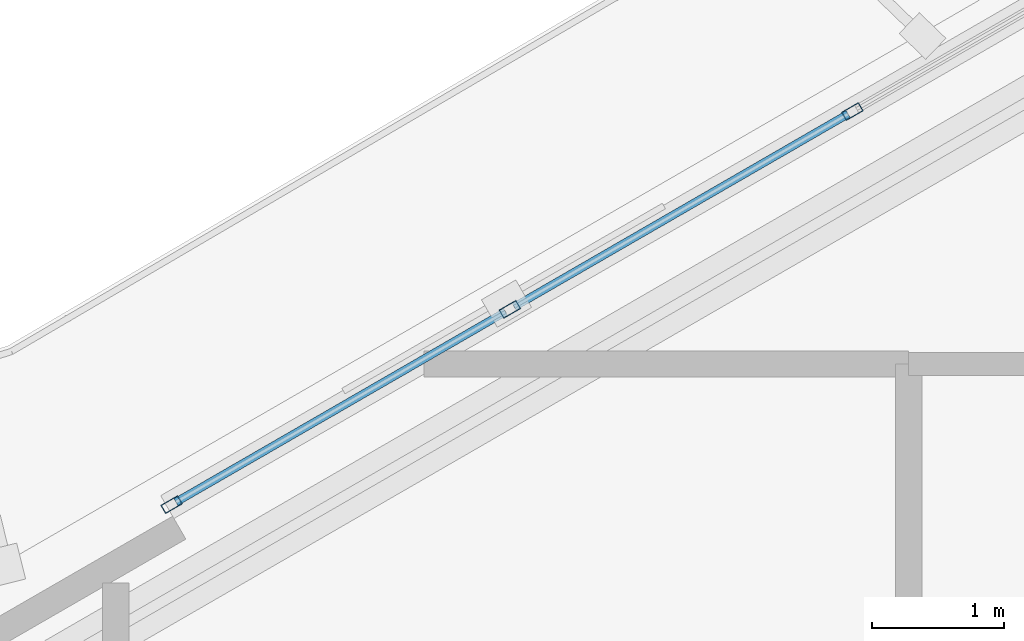
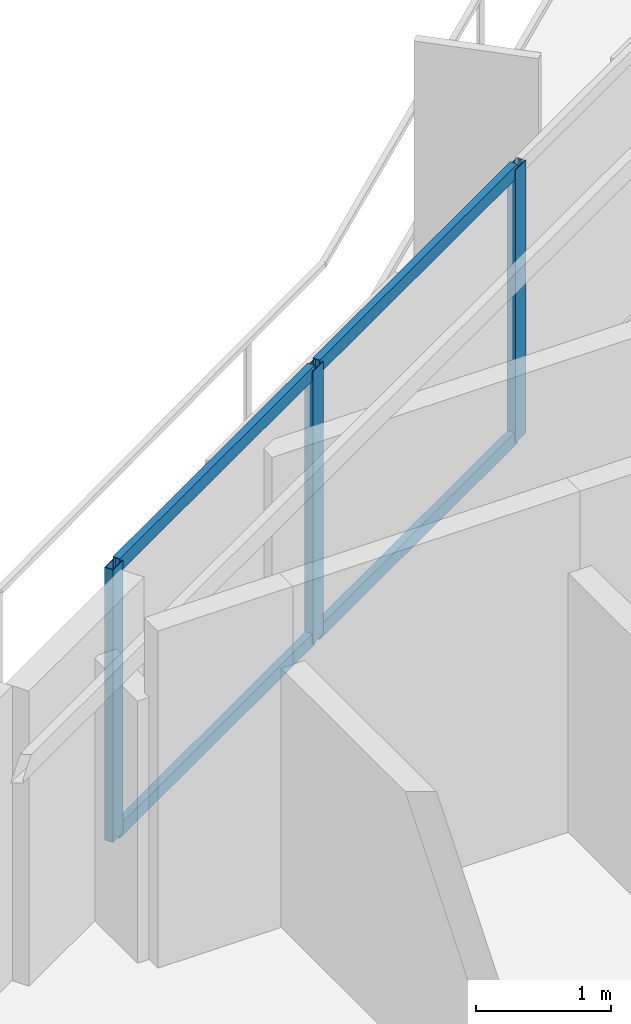
# One storey, part 7 of 19: 7 members, 1 element without a shape of its own.
"""IFC4 building model written with IfcOpenShell, lengths in metres."""

from ifc_helpers import new_model, si_unit, direction, frame, origin, origin_2d, place, context, subcontext, project, spatial, hollow_rectangle, extrude, material, layer, layer_set, material_profile, profile_set, type_object, element, aggregate, save


model = new_model("IFC4")

# Units and contexts
model_context = context("Model", 3, precision=1e-05, world=origin(), true_north=direction((0.0, 1.0)))
body_context = subcontext(model_context, "Body", "Model", "MODEL_VIEW")
ifc_project = project(units=[si_unit("LENGTHUNIT", "METRE"), si_unit("AREAUNIT", "SQUARE_METRE"), si_unit("VOLUMEUNIT", "CUBIC_METRE"), si_unit("PLANEANGLEUNIT", "RADIAN"), si_unit("MASSUNIT", "GRAM", prefix="KILO")], contexts=[model_context])

# Site, building, storey
site_placement = place(None, origin())
site = spatial("IfcSite", under=ifc_project, at=site_placement, CompositionType="ELEMENT")
building_placement = place(site_placement, origin())
building = spatial("IfcBuilding", under=site, at=building_placement, Name="Mersakhor Tower and Convention Hall", CompositionType="ELEMENT")
storey_placement = place(building_placement, frame((0.0, 0.0, 25.800048828125)))
storey = spatial("IfcBuildingStorey", under=building, at=storey_placement, Name="L06", CompositionType="ELEMENT", Elevation=25.800048828125)

# Curtain wall, members
ifc_material_1 = material(Name="Dark solar low-E aluminium curtain wall", Category="aluminium")
ifc_layer = layer(ifc_material_1, 0.159912109375)
ifc_layer_set = layer_set([ifc_layer], Name="Dark solar low-E aluminium curtain wall")
curtain_wall_type = type_object("IfcCurtainWallType", Name="CW-SYS-01", PredefinedType="USERDEFINED", material=ifc_layer_set)
curtain_wall_placement = place(storey_placement, origin())
curtain_wall = element("IfcCurtainWall", 1, at=curtain_wall_placement, inside=storey, type_object=curtain_wall_type, Name="L06 Dark-Glass Curtain Wall F1-B2", ObjectType="CURTAIN WALL", PredefinedType="USERDEFINED")
ifc_material_2 = material(Name="Anodised aluminium EN AW-6063 T6", Category="aluminium")
ifc_material_profile_1 = material_profile(ifc_material_2, hollow_rectangle(XDim=0.074951171875, YDim=0.14990234375, WallThickness=0.00634765625, at=origin_2d()), Name="RHS 150x75x6.3")
ifc_profile_set_1 = profile_set([ifc_material_profile_1], Name="Anodised aluminium EN AW-6063 T6")
member_type_1 = type_object("IfcMemberType", Name="CWM-150x75", PredefinedType="MULLION", material=ifc_profile_set_1)
member_1_placement = place(storey_placement, frame((16.423095703125, 36.635986328125, 0.199951171875), z_axis=(0.0, 0.0, 1.0), x_axis=(-0.50000344889, 0.866023412558, 0.0)))
member_1 = element("IfcMember", 2, at=member_1_placement, type_object=member_type_1, Name="CW-01 mullion 1", PredefinedType="MULLION", context=body_context, shape_type="SweptSolid", body=[
    extrude(hollow_rectangle(XDim=0.074951171875, YDim=0.14990234375, WallThickness=0.00634765625, at=origin_2d()), origin(), (0.0, 0.0, 1.0), 2.4599609375),
])
member_2_placement = place(storey_placement, frame((18.982666015625, 38.11376953125, 0.199951171875), z_axis=(0.0, 0.0, 1.0), x_axis=(-0.50000344889, 0.866023412558, 0.0)))
member_2 = element("IfcMember", 3, at=member_2_placement, type_object=member_type_1, Name="CW-01 mullion 2", PredefinedType="MULLION", context=body_context, shape_type="SweptSolid", body=[
    extrude(hollow_rectangle(XDim=0.074951171875, YDim=0.14990234375, WallThickness=0.00634765625, at=origin_2d()), origin(), (0.0, 0.0, 1.0), 2.4599609375),
])
member_3_placement = place(storey_placement, frame((21.574951171875, 39.610595703125, 0.199951171875), z_axis=(0.0, 0.0, 1.0), x_axis=(-0.50000344889, 0.866023412558, 0.0)))
member_3 = element("IfcMember", 4, at=member_3_placement, type_object=member_type_1, Name="CW-01 mullion 3", PredefinedType="MULLION", context=body_context, shape_type="SweptSolid", body=[
    extrude(hollow_rectangle(XDim=0.074951171875, YDim=0.14990234375, WallThickness=0.00634765625, at=origin_2d()), origin(), (0.0, 0.0, 1.0), 2.4599609375),
])
ifc_material_3 = material(Name="Anodised aluminium EN AW-6063 T6", Category="aluminium")
ifc_material_profile_2 = material_profile(ifc_material_3, hollow_rectangle(XDim=0.06005859375, YDim=0.1201171875, WallThickness=0.0048828125, at=origin_2d()), Name="RHS 120x60x5")
ifc_profile_set_2 = profile_set([ifc_material_profile_2], Name="Anodised aluminium EN AW-6063 T6")
member_type_2 = type_object("IfcMemberType", Name="CWT-120x60", PredefinedType="USERDEFINED", material=ifc_profile_set_2)
member_4_placement = place(storey_placement, frame((16.45556640625, 36.65478515625, 0.22998046875), z_axis=(0.866002100865, 0.500040359669, 0.0), x_axis=(-0.500040359669, 0.866002100865, 0.0)))
member_4 = element("IfcMember", 5, at=member_4_placement, type_object=member_type_2, Name="CW-01 transom 1.1", ObjectType="TRANSOM", PredefinedType="USERDEFINED", context=body_context, shape_type="SweptSolid", body=[
    extrude(hollow_rectangle(XDim=0.06005859375, YDim=0.1201171875, WallThickness=0.0048828125, at=origin_2d()), origin(), (0.0, 0.0, 1.0), 2.880615234375),
])
member_5_placement = place(storey_placement, frame((16.45556640625, 36.65478515625, 2.6298828125), z_axis=(0.866002100865, 0.500040359669, 0.0), x_axis=(-0.500040359669, 0.866002100865, 0.0)))
member_5 = element("IfcMember", 6, at=member_5_placement, type_object=member_type_2, Name="CW-01 transom 1.2", ObjectType="TRANSOM", PredefinedType="USERDEFINED", context=body_context, shape_type="SweptSolid", body=[
    extrude(hollow_rectangle(XDim=0.06005859375, YDim=0.1201171875, WallThickness=0.0048828125, at=origin_2d()), origin(), (0.0, 0.0, 1.0), 2.880615234375),
])
member_6_placement = place(storey_placement, frame((19.01513671875, 38.132568359375, 0.22998046875), z_axis=(0.866015622527, 0.500016941252, 0.0), x_axis=(-0.500016941252, 0.866015622527, 0.0)))
member_6 = element("IfcMember", 7, at=member_6_placement, type_object=member_type_2, Name="CW-01 transom 2.1", ObjectType="TRANSOM", PredefinedType="USERDEFINED", context=body_context, shape_type="SweptSolid", body=[
    extrude(hollow_rectangle(XDim=0.06005859375, YDim=0.1201171875, WallThickness=0.0048828125, at=origin_2d()), origin(), (0.0, 0.0, 1.0), 2.91845703125),
])
member_7_placement = place(storey_placement, frame((19.01513671875, 38.132568359375, 2.6298828125), z_axis=(0.866015622527, 0.500016941252, 0.0), x_axis=(-0.500016941252, 0.866015622527, 0.0)))
member_7 = element("IfcMember", 8, at=member_7_placement, type_object=member_type_2, Name="CW-01 transom 2.2", ObjectType="TRANSOM", PredefinedType="USERDEFINED", context=body_context, shape_type="SweptSolid", body=[
    extrude(hollow_rectangle(XDim=0.06005859375, YDim=0.1201171875, WallThickness=0.0048828125, at=origin_2d()), origin(), (0.0, 0.0, 1.0), 2.91845703125),
])
aggregate(curtain_wall, [member_1, member_2, member_3, member_4, member_5, member_6, member_7])

save(model, "model.ifc")
